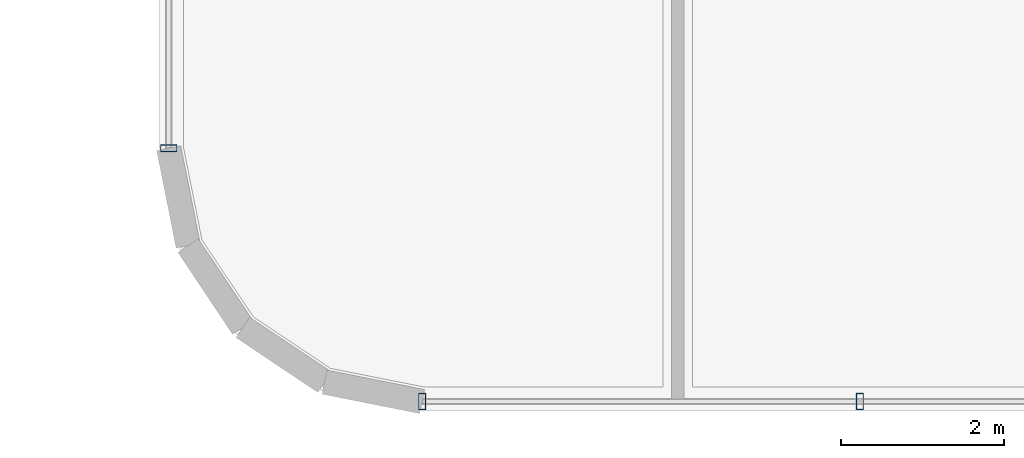
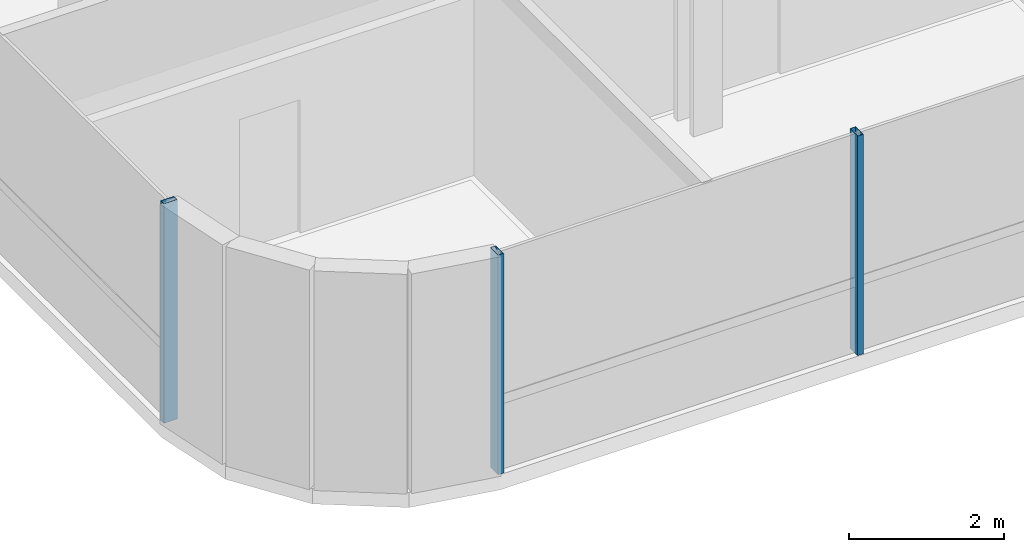
# One storey, part 2 of 41: 3 members, 2 elements without a shape of their own.
"""IFC4 building model written with IfcOpenShell, lengths in metres."""

from ifc_helpers import new_model, si_unit, direction, frame, origin, origin_2d, place, context, subcontext, project, spatial, hollow_rectangle, extrude, source, transform, mapped, material, material_profile, profile_set, type_object, element, aggregate, save


model = new_model("IFC4")

# Units and contexts
model_context = context("Model", 3, precision=1e-05, world=origin(), true_north=direction((0.0, 1.0)))
body_context = subcontext(model_context, "Body", "Model", "MODEL_VIEW")
ifc_project = project(units=[si_unit("LENGTHUNIT", "METRE"), si_unit("AREAUNIT", "SQUARE_METRE"), si_unit("VOLUMEUNIT", "CUBIC_METRE"), si_unit("PLANEANGLEUNIT", "RADIAN"), si_unit("MASSUNIT", "GRAM", prefix="KILO")], contexts=[model_context])

# Site, building, storey
site_placement = place(None, origin())
site = spatial("IfcSite", under=ifc_project, at=site_placement, CompositionType="ELEMENT")
building_placement = place(site_placement, origin())
building = spatial("IfcBuilding", under=site, at=building_placement, Name="Valdorenza Pilgrim Sanctuary Tower", CompositionType="ELEMENT")
storey_placement = place(building_placement, frame((0.0, 0.0, 85.199951171875)))
storey = spatial("IfcBuildingStorey", under=building, at=storey_placement, Name="L21", CompositionType="ELEMENT", Elevation=85.199951171875)

# Curtain wall, member
ifc_material_1 = material(Name="Curtain-wall IGU glazing", Category="glass")
curtain_wall_type = type_object("IfcCurtainWallType", Name="CW-SYS-02", PredefinedType="NOTDEFINED", material=ifc_material_1)
curtain_wall_1_placement = place(storey_placement, origin())
curtain_wall_1 = element("IfcCurtainWall", 1, at=curtain_wall_1_placement, inside=storey, type_object=curtain_wall_type, Name="L21 Curtain Wall CW-L21-1-1S1", PredefinedType="NOTDEFINED")
ifc_material_2 = material(Name="Anodised aluminium AW-6060", Category="aluminium")
ifc_material_profile = material_profile(ifc_material_2, hollow_rectangle(XDim=0.0849609375, YDim=0.199951171875, WallThickness=0.0048828125, at=origin_2d()), Name="ALU-M 200x85x5")
ifc_profile_set = profile_set([ifc_material_profile], Name="Anodised aluminium AW-6060")
member_type = type_object("IfcMemberType", Name="CW-MUL-02", PredefinedType="MULLION", material=ifc_profile_set)
shared_shape = source(origin(), body_context, "Body", "SweptSolid", [
    extrude(hollow_rectangle(XDim=0.0849609375, YDim=0.199951171875, WallThickness=0.0048828125, at=origin_2d()), origin(), (0.0, 0.0, 1.0), 3.4599609375),
])
member_1_placement = place(storey_placement, frame((-31.889892578125, -15.789306640625, 0.0), z_axis=(0.0, 0.0, 1.0), x_axis=(0.0, 1.0, 0.0)))
member_1 = element("IfcMember", 2, at=member_1_placement, type_object=member_type, Name="CW-L21-1-1S1 Mullion 1", PredefinedType="MULLION", context=body_context, shape_type="MappedRepresentation", body=[
    mapped(shared_shape, transform((0.0, 0.0, 0.0), x_axis=(1.0, 0.0, 0.0), y_axis=(0.0, 1.0, 0.0), z_axis=(0.0, 0.0, 1.0), scale=1.0)),
])
aggregate(curtain_wall_1, [member_1])

# Curtain wall, members
curtain_wall_2_placement = place(storey_placement, origin())
curtain_wall_2 = element("IfcCurtainWall", 3, at=curtain_wall_2_placement, inside=storey, type_object=curtain_wall_type, Name="L21 Curtain Wall CW-L21-1-46", PredefinedType="NOTDEFINED")
member_2_placement = place(storey_placement, frame((-23.4296875, -18.889892578125, 0.0), z_axis=(0.0, 0.0, 1.0), x_axis=(-1.0, 0.0, 0.0)))
member_2 = element("IfcMember", 4, at=member_2_placement, type_object=member_type, Name="CW-L21-1-46 Mullion 3", PredefinedType="MULLION", context=body_context, shape_type="MappedRepresentation", body=[
    mapped(shared_shape, transform((0.0, 0.0, 0.0), x_axis=(1.0, 0.0, 0.0), y_axis=(0.0, 1.0, 0.0), z_axis=(0.0, 0.0, 1.0), scale=1.0)),
])
member_3_placement = place(storey_placement, frame((-28.789306640625, -18.889892578125, 0.0), z_axis=(0.0, 0.0, 1.0), x_axis=(-1.0, 0.0, 0.0)))
member_3 = element("IfcMember", 5, at=member_3_placement, type_object=member_type, Name="CW-L21-1-46 Mullion 4", PredefinedType="MULLION", context=body_context, shape_type="MappedRepresentation", body=[
    mapped(shared_shape, transform((0.0, 0.0, 0.0), x_axis=(1.0, 0.0, 0.0), y_axis=(0.0, 1.0, 0.0), z_axis=(0.0, 0.0, 1.0), scale=1.0)),
])
aggregate(curtain_wall_2, [member_2, member_3])

save(model, "model.ifc")
